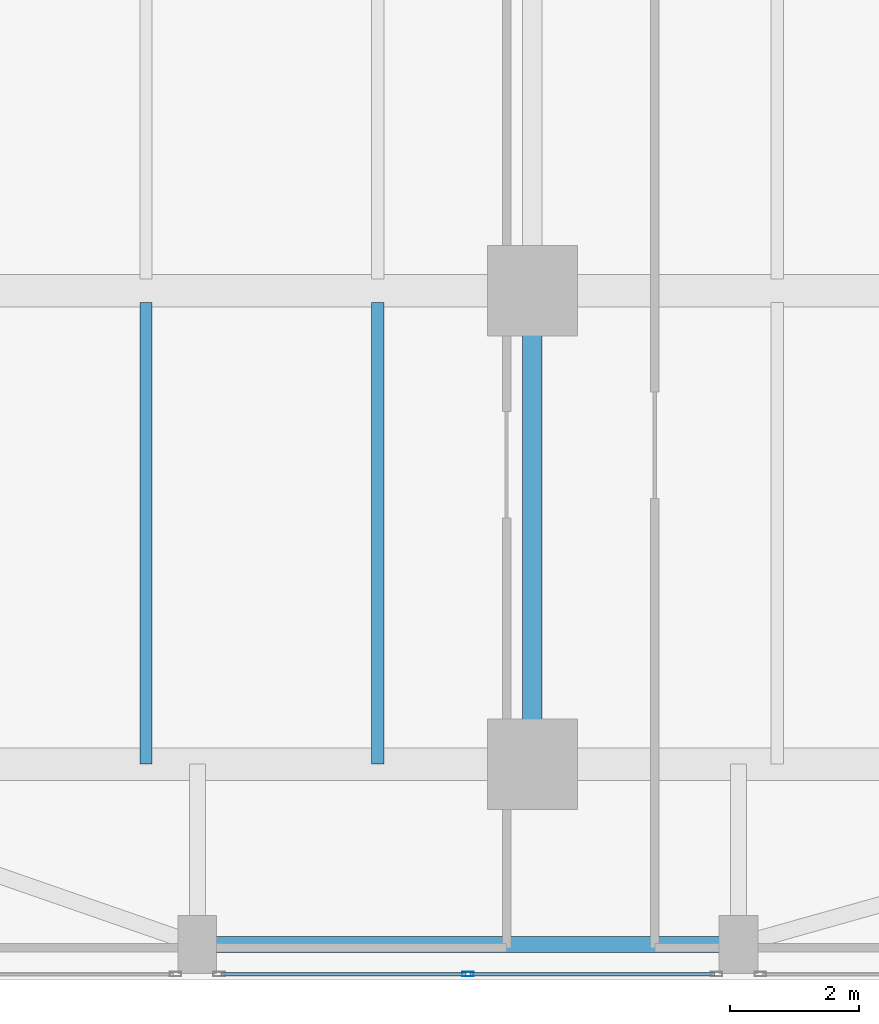
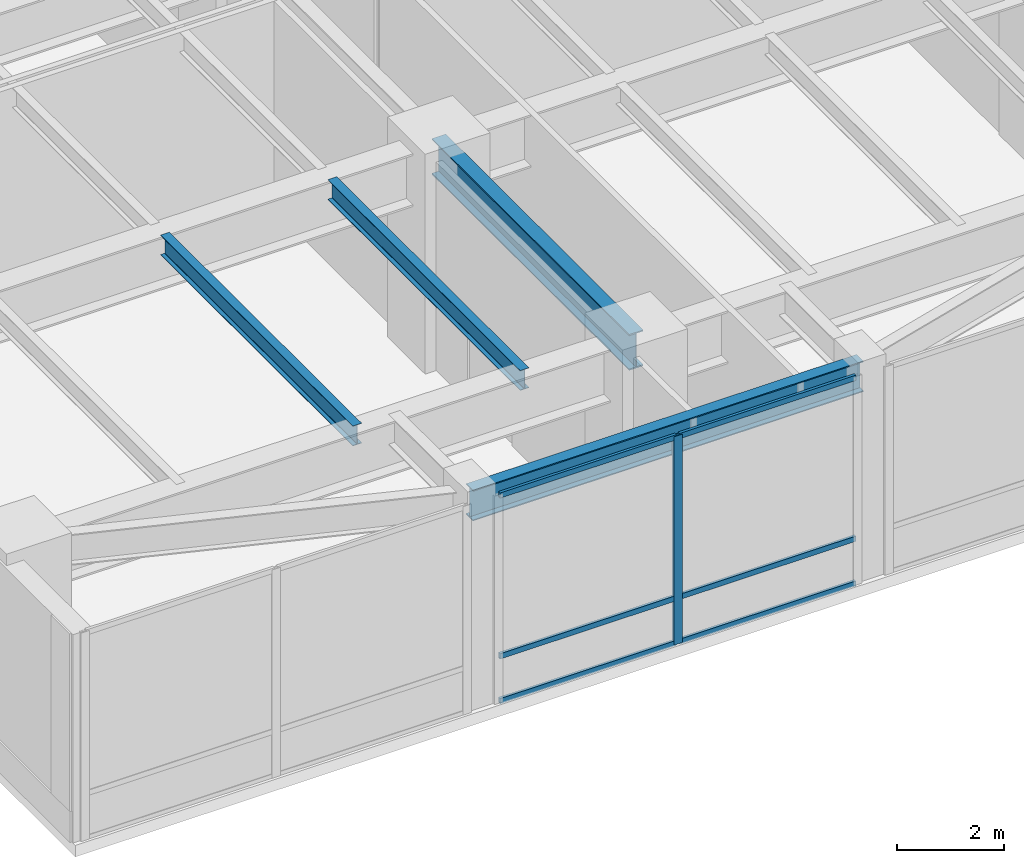
# One storey, part 4 of 39: 7 members, 4 beams, 1 element without a shape of its own.
"""IFC4 building model written with IfcOpenShell, lengths in metres."""

from ifc_helpers import new_model, si_unit, direction, frame, origin, origin_2d, place, context, subcontext, project, spatial, hollow_rectangle, i_section, extrude, source, transform, mapped, material, layer, layer_set, material_profile, profile_set, type_object, type_shapes, element, aggregate, save


model = new_model("IFC4")

# Units and contexts
model_context = context("Model", 3, precision=1e-05, world=origin(), true_north=direction((0.0, 1.0)))
body_context = subcontext(model_context, "Body", "Model", "MODEL_VIEW")
ifc_project = project(units=[si_unit("LENGTHUNIT", "METRE"), si_unit("AREAUNIT", "SQUARE_METRE"), si_unit("VOLUMEUNIT", "CUBIC_METRE"), si_unit("PLANEANGLEUNIT", "RADIAN"), si_unit("MASSUNIT", "GRAM", prefix="KILO")], contexts=[model_context])

# Site, building, storey
site_placement = place(None, origin())
site = spatial("IfcSite", under=ifc_project, at=site_placement, CompositionType="ELEMENT")
building_placement = place(site_placement, origin())
building = spatial("IfcBuilding", under=site, at=building_placement, Name="Tolvann Quenvar Hotel", CompositionType="ELEMENT")
storey_placement = place(building_placement, frame((0.0, 0.0, 11.0)))
storey = spatial("IfcBuildingStorey", under=building, at=storey_placement, Name="L02", CompositionType="ELEMENT", Elevation=11.0)

# Beams
ifc_material_1 = material(Name="Steel Grade 350", Category="steel")
ifc_material_profile_1 = material_profile(ifc_material_1, i_section(OverallWidth=0.300048828125, OverallDepth=0.81591796875, WebThickness=0.010009765625, FlangeThickness=0.028076171875, at=origin_2d()), Name="800WB192")
ifc_profile_set_1 = profile_set([ifc_material_profile_1], Name="Steel Grade 350")
beam_type_1 = type_object("IfcBeamType", Name="BM_GIRD_800WB192", PredefinedType="BEAM", material=ifc_profile_set_1)
shared_shape_1 = source(origin(), body_context, "Body", "SweptSolid", [
    extrude(i_section(OverallWidth=0.300048828125, OverallDepth=0.81591796875, WebThickness=0.010009765625, FlangeThickness=0.028076171875, at=origin_2d()), origin(), (0.0, 0.0, 1.0), 7.349853515625),
])
type_shapes(beam_type_1, [shared_shape_1])
beam_1_placement = place(storey_placement, frame((5.60009765625, 0.85009765625, 4.33203125), z_axis=(0.0, 1.0, 0.0), x_axis=(-1.0, 0.0, 0.0)))
element("IfcBeam", 1, at=beam_1_placement, inside=storey, type_object=beam_type_1, Name="BM-L02-NS-PBAL-0", PredefinedType="BEAM", context=body_context, shape_type="MappedRepresentation", body=[
    mapped(shared_shape_1, transform((0.0, 0.0, 0.0), x_axis=(1.0, 0.0, 0.0), y_axis=(0.0, 1.0, 0.0), z_axis=(0.0, 0.0, 1.0), scale=1.0)),
])
ifc_material_profile_2 = material_profile(ifc_material_1, i_section(OverallWidth=0.25, OverallDepth=0.699951171875, WebThickness=0.010009765625, FlangeThickness=0.02392578125, at=origin_2d()), Name="700WB150")
ifc_profile_set_2 = profile_set([ifc_material_profile_2], Name="Steel Grade 350")
beam_type_2 = type_object("IfcBeamType", Name="BM_GIRD_700WB150", PredefinedType="BEAM", material=ifc_profile_set_2)
shared_shape_2 = source(origin(), body_context, "Body", "SweptSolid", [
    extrude(i_section(OverallWidth=0.25, OverallDepth=0.699951171875, WebThickness=0.010009765625, FlangeThickness=0.02392578125, at=origin_2d()), origin(), (0.0, 0.0, 1.0), 8.400146484375),
])
type_shapes(beam_type_2, [shared_shape_2])
beam_2_placement = place(storey_placement, frame((0.39990234375, -1.949951171875, 4.389892578125), z_axis=(1.0, 0.0, 0.0), x_axis=(0.0, 1.0, 0.0)))
element("IfcBeam", 2, at=beam_2_placement, inside=storey, type_object=beam_type_2, Name="BM-L02-EWS-W1", PredefinedType="BEAM", context=body_context, shape_type="MappedRepresentation", body=[
    mapped(shared_shape_2, transform((0.0, 0.0, 0.0), x_axis=(1.0, 0.0, 0.0), y_axis=(0.0, 1.0, 0.0), z_axis=(0.0, 0.0, 1.0), scale=1.0)),
])
ifc_material_profile_3 = material_profile(ifc_material_1, i_section(OverallWidth=0.18994140625, OverallDepth=0.4541015625, WebThickness=0.008544921875, FlangeThickness=0.0126953125, FilletRadius=0.011474609375, at=origin_2d()), Name="460UB67")
ifc_profile_set_3 = profile_set([ifc_material_profile_3], Name="Steel Grade 350")
beam_type_3 = type_object("IfcBeamType", Name="BM_JOIST_460UB67", PredefinedType="JOIST", material=ifc_profile_set_3)
shared_shape_3 = source(origin(), body_context, "Body", "SweptSolid", [
    extrude(i_section(OverallWidth=0.18994140625, OverallDepth=0.4541015625, WebThickness=0.008544921875, FlangeThickness=0.0126953125, FilletRadius=0.011474609375, at=origin_2d()), origin(), (0.0, 0.0, 1.0), 7.164794921875),
])
type_shapes(beam_type_3, [shared_shape_3])
for number, where, z_axis, x_axis, name in (
    (3, (-0.39990234375, 0.85009765625, 4.512939453125), (0.0, 1.0, 0.0), (-1.0, 0.0, 0.0), "BJ-L02--4-8"),
    (4, (3.199951171875, 0.85009765625, 4.512939453125), (0.0, 1.0, 0.0), (-1.0, 0.0, 0.0), "BJ-L02-32-8"),
):
    element("IfcBeam", number, at=place(storey_placement, frame(where, z_axis=z_axis, x_axis=x_axis)), inside=storey, type_object=beam_type_3, Name=name, PredefinedType="JOIST", context=body_context, shape_type="MappedRepresentation", body=[
        mapped(shared_shape_3, transform((0.0, 0.0, 0.0), x_axis=(1.0, 0.0, 0.0), y_axis=(0.0, 1.0, 0.0), z_axis=(0.0, 0.0, 1.0), scale=1.0)),
    ])

# Curtain wall, members
ifc_material_2 = material(Name="Thermally broken anodised architectural aluminium 6063-T6 and laminated low-E glass", Category="aluminium")
ifc_layer = layer(ifc_material_2, 0.179931640625)
ifc_layer_set = layer_set([ifc_layer], Name="Thermally broken anodised architectural aluminium 6063-T6 and laminated low-E glass")
curtain_wall_type = type_object("IfcCurtainWallType", Name="CW_SYS_BALL_02", PredefinedType="USERDEFINED", material=ifc_layer_set)
curtain_wall_placement = place(storey_placement, origin())
curtain_wall = element("IfcCurtainWall", 5, at=curtain_wall_placement, inside=storey, type_object=curtain_wall_type, Name="Curtain Wall CW-BALL-02 (CWR-L02-E08-S2)", ObjectType="UNITISED CURTAIN WALL", PredefinedType="USERDEFINED")
ifc_material_3 = material(Name="Anodised architectural aluminium 6063-T6 framing", Category="aluminium")
ifc_material_profile_4 = material_profile(ifc_material_3, hollow_rectangle(XDim=0.070068359375, YDim=0.179931640625, WallThickness=0.00390625, at=origin_2d()), Name="180x70x4RHS")
ifc_profile_set_4 = profile_set([ifc_material_profile_4], Name="Anodised architectural aluminium 6063-T6 framing")
member_type_1 = type_object("IfcMemberType", Name="CW_MULL_180x70", PredefinedType="MULLION", material=ifc_profile_set_4)
shared_shape_4 = source(origin(), body_context, "Body", "SweptSolid", [
    extrude(hollow_rectangle(XDim=0.070068359375, YDim=0.179931640625, WallThickness=0.00390625, at=origin_2d()), origin(), (0.0, 0.0, 1.0), 4.739990234375),
])
type_shapes(member_type_1, [shared_shape_4])
member_1_placement = place(storey_placement, frame((4.60009765625, -2.409912109375, 0.0), z_axis=(0.0, 0.0, 1.0), x_axis=(0.0, 1.0, 0.0)))
member_1 = element("IfcMember", 6, at=member_1_placement, type_object=member_type_1, Name="CW-BALL-02 mullion 2", PredefinedType="MULLION", context=body_context, shape_type="MappedRepresentation", body=[
    mapped(shared_shape_4, transform((0.0, 0.0, 0.0), x_axis=(1.0, 0.0, 0.0), y_axis=(0.0, 1.0, 0.0), z_axis=(0.0, 0.0, 1.0), scale=1.0)),
])
ifc_material_profile_5 = material_profile(ifc_material_3, hollow_rectangle(XDim=0.06005859375, YDim=0.1201171875, WallThickness=0.00341796875, at=origin_2d()), Name="120x60x3.5RHS")
ifc_profile_set_5 = profile_set([ifc_material_profile_5], Name="Anodised architectural aluminium 6063-T6 framing")
member_type_2 = type_object("IfcMemberType", Name="CW_TRAN_120x60", PredefinedType="USERDEFINED", material=ifc_profile_set_5)
shared_shape_5 = source(origin(), body_context, "Body", "SweptSolid", [
    extrude(hollow_rectangle(XDim=0.06005859375, YDim=0.1201171875, WallThickness=0.00341796875, at=origin_2d()), origin(), (0.0, 0.0, 1.0), 3.791015625),
])
type_shapes(member_type_2, [shared_shape_5])
member_2_placement = place(storey_placement, frame((0.77392578125, -2.409912109375, 0.030029296875), z_axis=(1.0, 0.0, 0.0), x_axis=(0.0, 1.0, 0.0)))
member_2 = element("IfcMember", 7, at=member_2_placement, type_object=member_type_2, Name="CW-BALL-02 transom 1.1", ObjectType="TRANSOM", PredefinedType="USERDEFINED", context=body_context, shape_type="MappedRepresentation", body=[
    mapped(shared_shape_5, transform((0.0, 0.0, 0.0), x_axis=(1.0, 0.0, 0.0), y_axis=(0.0, 1.0, 0.0), z_axis=(0.0, 0.0, 1.0), scale=1.0)),
])
member_3_placement = place(storey_placement, frame((0.77392578125, -2.409912109375, 1.050048828125), z_axis=(1.0, 0.0, 0.0), x_axis=(0.0, 1.0, 0.0)))
member_3 = element("IfcMember", 8, at=member_3_placement, type_object=member_type_2, Name="CW-BALL-02 transom 1.2", ObjectType="TRANSOM", PredefinedType="USERDEFINED", context=body_context, shape_type="MappedRepresentation", body=[
    mapped(shared_shape_5, transform((0.0, 0.0, 0.0), x_axis=(1.0, 0.0, 0.0), y_axis=(0.0, 1.0, 0.0), z_axis=(0.0, 0.0, 1.0), scale=1.0)),
])
member_4_placement = place(storey_placement, frame((0.77392578125, -2.409912109375, 4.7099609375), z_axis=(1.0, 0.0, 0.0), x_axis=(0.0, 1.0, 0.0)))
member_4 = element("IfcMember", 9, at=member_4_placement, type_object=member_type_2, Name="CW-BALL-02 transom 1.3", ObjectType="TRANSOM", PredefinedType="USERDEFINED", context=body_context, shape_type="MappedRepresentation", body=[
    mapped(shared_shape_5, transform((0.0, 0.0, 0.0), x_axis=(1.0, 0.0, 0.0), y_axis=(0.0, 1.0, 0.0), z_axis=(0.0, 0.0, 1.0), scale=1.0)),
])
member_5_placement = place(storey_placement, frame((4.635009765625, -2.409912109375, 0.030029296875), z_axis=(1.0, 0.0, 0.0), x_axis=(0.0, 1.0, 0.0)))
member_5 = element("IfcMember", 10, at=member_5_placement, type_object=member_type_2, Name="CW-BALL-02 transom 2.1", ObjectType="TRANSOM", PredefinedType="USERDEFINED", context=body_context, shape_type="MappedRepresentation", body=[
    mapped(shared_shape_5, transform((0.0, 0.0, 0.0), x_axis=(1.0, 0.0, 0.0), y_axis=(0.0, 1.0, 0.0), z_axis=(0.0, 0.0, 1.0), scale=1.0)),
])
member_6_placement = place(storey_placement, frame((4.635009765625, -2.409912109375, 1.050048828125), z_axis=(1.0, 0.0, 0.0), x_axis=(0.0, 1.0, 0.0)))
member_6 = element("IfcMember", 11, at=member_6_placement, type_object=member_type_2, Name="CW-BALL-02 transom 2.2", ObjectType="TRANSOM", PredefinedType="USERDEFINED", context=body_context, shape_type="MappedRepresentation", body=[
    mapped(shared_shape_5, transform((0.0, 0.0, 0.0), x_axis=(1.0, 0.0, 0.0), y_axis=(0.0, 1.0, 0.0), z_axis=(0.0, 0.0, 1.0), scale=1.0)),
])
member_7_placement = place(storey_placement, frame((4.635009765625, -2.409912109375, 4.7099609375), z_axis=(1.0, 0.0, 0.0), x_axis=(0.0, 1.0, 0.0)))
member_7 = element("IfcMember", 12, at=member_7_placement, type_object=member_type_2, Name="CW-BALL-02 transom 2.3", ObjectType="TRANSOM", PredefinedType="USERDEFINED", context=body_context, shape_type="MappedRepresentation", body=[
    mapped(shared_shape_5, transform((0.0, 0.0, 0.0), x_axis=(1.0, 0.0, 0.0), y_axis=(0.0, 1.0, 0.0), z_axis=(0.0, 0.0, 1.0), scale=1.0)),
])
aggregate(curtain_wall, [member_1, member_2, member_3, member_4, member_5, member_6, member_7])

save(model, "model.ifc")
